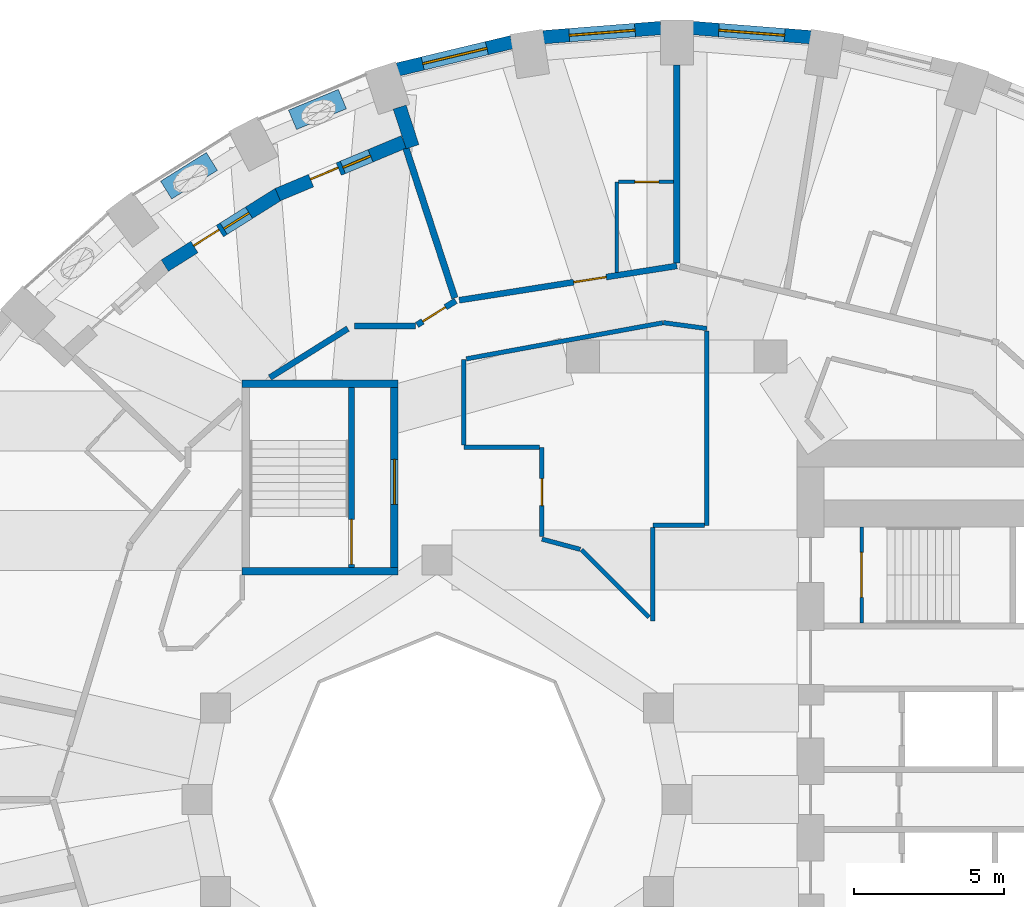
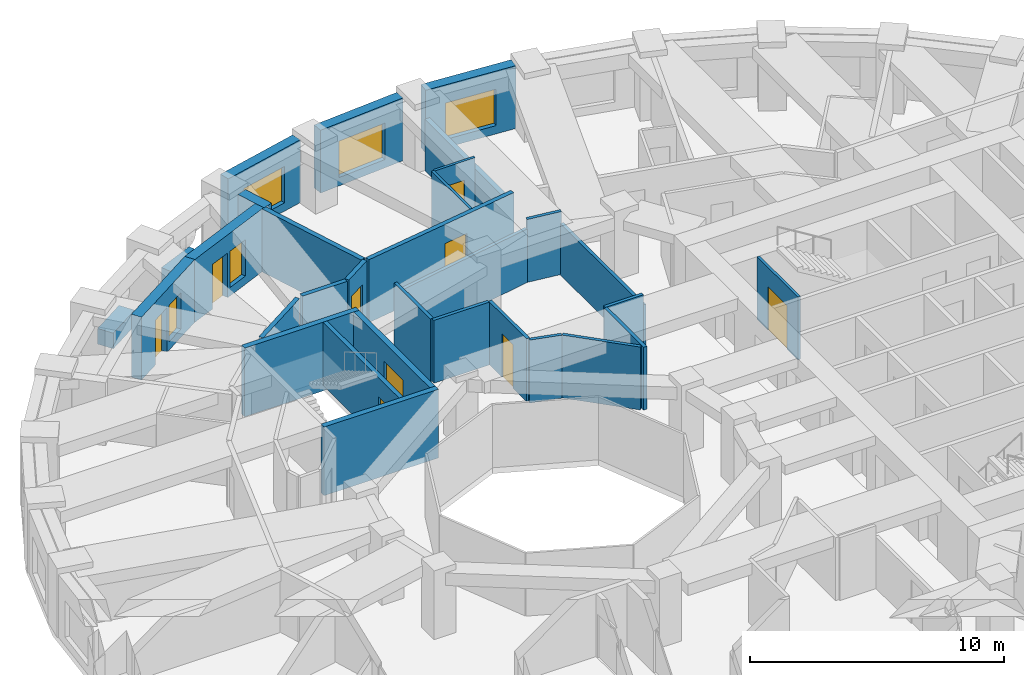
# One storey, part 8 of 13: 31 walls, 9 doors, 5 windows, 14 openings.
"""IFC4 building model written with IfcOpenShell, lengths in metres."""

from ifc_helpers import new_model, si_unit, direction, frame, frame_2d, origin, place, context, subcontext, project, spatial, rectangle, extrude, material, layer, layer_set, constituent, constituent_set, type_object, element, fill, save


model = new_model("IFC4")

# Units and contexts
model_context = context("Model", 3, precision=1e-05, world=origin(), true_north=direction((0.0, 1.0)))
body_context = subcontext(model_context, "Body", "Model", "MODEL_VIEW")
ifc_project = project(units=[si_unit("LENGTHUNIT", "METRE"), si_unit("AREAUNIT", "SQUARE_METRE"), si_unit("VOLUMEUNIT", "CUBIC_METRE"), si_unit("PLANEANGLEUNIT", "RADIAN"), si_unit("MASSUNIT", "GRAM", prefix="KILO")], contexts=[model_context])

# Site, building, storey
site_placement = place(None, origin())
site = spatial("IfcSite", under=ifc_project, at=site_placement, CompositionType="ELEMENT")
building_placement = place(site_placement, origin())
building = spatial("IfcBuilding", under=site, at=building_placement, Name="Taillehof Tower", CompositionType="ELEMENT")
storey_placement = place(building_placement, frame((0.0, 0.0, 41.5)))
storey = spatial("IfcBuildingStorey", under=building, at=storey_placement, Name="L10", CompositionType="ELEMENT", Elevation=41.5)

# Wall, opening, window
ifc_material_1 = material(Name="Brick masonry", Category="masonry")
ifc_layer_1 = layer(ifc_material_1, 0.449951171875)
ifc_layer_set_1 = layer_set([ifc_layer_1], Name="Brick infill wall 450")
wall_type_1 = type_object("IfcWallType", Name="Brick infill wall 450", PredefinedType="SOLIDWALL", material=ifc_layer_set_1)
wall_1_placement = place(storey_placement, frame((4.457275390625, 25.42578125, 0.0), z_axis=(0.0, 0.0, 1.0), x_axis=(-0.996955972145, 0.077966592873, 0.0)))
wall_1 = element("IfcWall", 1, at=wall_1_placement, inside=storey, type_object=wall_type_1, Name="Brick wall L10 bay 9", PredefinedType="SOLIDWALL", context=body_context, shape_type="SweptSolid", body=[
    extrude(rectangle(XDim=3.939208984375, YDim=0.449951171875, at=frame_2d((1.9697265625, 0.0))), origin(), (0.0, 0.0, 1.0), 3.02001953125),
])
opening_1_placement = place(wall_1_placement, frame((0.86962890625, 0.0, 0.39990234375)))
opening_1 = element("IfcOpeningElement", 2, at=opening_1_placement, cuts=wall_1, Name="Opening W1", PredefinedType="OPENING", context=body_context, shape_type="SweptSolid", body=[
    extrude(rectangle(XDim=2.199951171875, YDim=1.75, at=frame_2d((1.10009765625, 0.875))), frame((0.0, 0.23486328125, 0.0), z_axis=(0.0, -1.0, 0.0), x_axis=(1.0, 0.0, 0.0)), (0.0, 0.0, 1.0), 0.469970703125),
])
ifc_material_2 = material(Name="Aluminium window frame with clear double glazing", Category="aluminium")
window_type_1 = type_object("IfcWindowType", Name="Deep-set window 2200x1750", PartitioningType="SINGLE_PANEL", PredefinedType="WINDOW", material=ifc_material_2)
window_1_placement = place(opening_1_placement, origin())
window_1 = element("IfcWindow", 3, at=window_1_placement, inside=storey, type_object=window_type_1, Name="W1", OverallHeight=1.75, OverallWidth=2.199951171875, PartitioningType="SINGLE_PANEL", PredefinedType="WINDOW", context=body_context, shape_type="SweptSolid", body=[
    extrude(rectangle(XDim=2.199951171875, YDim=1.75, at=frame_2d((1.10009765625, 0.875))), frame((0.0, 0.034912109375, 0.0), z_axis=(0.0, -1.0, 0.0), x_axis=(1.0, 0.0, 0.0)), (0.0, 0.0, 1.0), 0.06005859375),
])
fill(opening_1, window_1)

wall_2_placement = place(storey_placement, frame((-0.530029296875, 25.73291015625, 0.0), z_axis=(0.0, 0.0, 1.0), x_axis=(-0.996955972145, -0.077966592873, 0.0)))
wall_2 = element("IfcWall", 4, at=wall_2_placement, inside=storey, type_object=wall_type_1, Name="Brick wall L10 bay 10", PredefinedType="SOLIDWALL", context=body_context, shape_type="SweptSolid", body=[
    extrude(rectangle(XDim=3.939208984375, YDim=0.449951171875, at=frame_2d((1.9697265625, 0.0))), origin(), (0.0, 0.0, 1.0), 3.02001953125),
])
opening_2_placement = place(wall_2_placement, frame((0.86962890625, 0.0, 0.39990234375)))
opening_2 = element("IfcOpeningElement", 5, at=opening_2_placement, cuts=wall_2, Name="Opening W1", PredefinedType="OPENING", context=body_context, shape_type="SweptSolid", body=[
    extrude(rectangle(XDim=2.199951171875, YDim=1.75, at=frame_2d((1.10009765625, 0.875))), frame((0.0, 0.23486328125, 0.0), z_axis=(0.0, -1.0, 0.0), x_axis=(1.0, 0.0, 0.0)), (0.0, 0.0, 1.0), 0.469970703125),
])
window_2_placement = place(opening_2_placement, origin())
window_2 = element("IfcWindow", 6, at=window_2_placement, inside=storey, type_object=window_type_1, Name="W1", OverallHeight=1.75, OverallWidth=2.199951171875, PartitioningType="SINGLE_PANEL", PredefinedType="WINDOW", context=body_context, shape_type="SweptSolid", body=[
    extrude(rectangle(XDim=2.199951171875, YDim=1.75, at=frame_2d((1.10009765625, 0.875))), frame((0.0, 0.034912109375, 0.0), z_axis=(0.0, -1.0, 0.0), x_axis=(1.0, 0.0, 0.0)), (0.0, 0.0, 1.0), 0.06005859375),
])
fill(opening_2, window_2)

wall_3_placement = place(storey_placement, frame((-5.50439453125, 25.260498046875, 0.0), z_axis=(0.0, 0.0, 1.0), x_axis=(-0.972496561493, -0.232917233979, 0.0)))
wall_3 = element("IfcWall", 7, at=wall_3_placement, inside=storey, type_object=wall_type_1, Name="Brick wall L10 bay 11", PredefinedType="SOLIDWALL", context=body_context, shape_type="SweptSolid", body=[
    extrude(rectangle(XDim=3.910888671875, YDim=0.449951171875, at=frame_2d((1.95556640625, 0.0))), origin(), (0.0, 0.0, 1.0), 3.02001953125),
])
opening_3_placement = place(wall_3_placement, frame((0.855224609375, 0.0, 0.39990234375)))
opening_3 = element("IfcOpeningElement", 8, at=opening_3_placement, cuts=wall_3, Name="Opening W1", PredefinedType="OPENING", context=body_context, shape_type="SweptSolid", body=[
    extrude(rectangle(XDim=2.199951171875, YDim=1.75, at=frame_2d((1.10009765625, 0.875))), frame((0.0, 0.23486328125, 0.0), z_axis=(0.0, -1.0, 0.0), x_axis=(1.0, 0.0, 0.0)), (0.0, 0.0, 1.0), 0.469970703125),
])
window_3_placement = place(opening_3_placement, origin())
window_3 = element("IfcWindow", 9, at=window_3_placement, inside=storey, type_object=window_type_1, Name="W1", OverallHeight=1.75, OverallWidth=2.199951171875, PartitioningType="SINGLE_PANEL", PredefinedType="WINDOW", context=body_context, shape_type="SweptSolid", body=[
    extrude(rectangle(XDim=2.199951171875, YDim=1.75, at=frame_2d((1.10009765625, 0.875))), frame((0.0, 0.034912109375, 0.0), z_axis=(0.0, -1.0, 0.0), x_axis=(1.0, 0.0, 0.0)), (0.0, 0.0, 1.0), 0.06005859375),
])
fill(opening_3, window_3)

# Wall
wall_4_placement = place(storey_placement, frame((-9.24560546875, 23.09521484375, 0.0), z_axis=(0.0, 0.0, 1.0), x_axis=(0.310110311429, -0.950700581017, 0.0)))
element("IfcWall", 10, at=wall_4_placement, inside=storey, type_object=wall_type_1, Name="Brick reveal L10 pocket 3", PredefinedType="SOLIDWALL", context=body_context, shape_type="SweptSolid", body=[
    extrude(rectangle(XDim=1.390380859375, YDim=0.449951171875, at=frame_2d((0.6953125, 0.0))), origin(), (0.0, 0.0, 1.0), 3.02001953125),
])

# Wall, openings, door, window
wall_5_placement = place(storey_placement, frame((-9.10400390625, 21.935791015625, 0.0), z_axis=(0.0, 0.0, 1.0), x_axis=(-0.922645368502, -0.385649483317, 0.0)))
wall_5 = element("IfcWall", 11, at=wall_5_placement, inside=storey, type_object=wall_type_1, Name="Brick wall L10 pocket bay 12", PredefinedType="SOLIDWALL", context=body_context, shape_type="SweptSolid", body=[
    extrude(rectangle(XDim=4.55859375, YDim=0.449951171875, at=frame_2d((2.279296875, 0.0))), origin(), (0.0, 0.0, 1.0), 3.02001953125),
])
opening_4_placement = place(wall_5_placement, frame((1.204345703125, 0.0, 0.39990234375)))
opening_4 = element("IfcOpeningElement", 12, at=opening_4_placement, cuts=wall_5, Name="Opening W5", PredefinedType="OPENING", context=body_context, shape_type="SweptSolid", body=[
    extrude(rectangle(XDim=1.0, YDim=1.75, at=frame_2d((0.5, 0.875))), frame((0.0, 0.23486328125, 0.0), z_axis=(0.0, -1.0, 0.0), x_axis=(1.0, 0.0, 0.0)), (0.0, 0.0, 1.0), 0.469970703125),
])
opening_5_placement = place(wall_5_placement, frame((2.354248046875, 0.0, 0.0)))
opening_5 = element("IfcOpeningElement", 13, at=opening_5_placement, cuts=wall_5, Name="Opening D1094", PredefinedType="OPENING", context=body_context, shape_type="SweptSolid", body=[
    extrude(rectangle(XDim=1.0, YDim=2.14990234375, at=frame_2d((0.5, 1.074951171875))), frame((0.0, 0.23486328125, 0.0), z_axis=(0.0, -1.0, 0.0), x_axis=(1.0, 0.0, 0.0)), (0.0, 0.0, 1.0), 0.469970703125),
])
ifc_material_3 = material(Name="Aluminium door frame with clear double glazing", Category="aluminium")
door_type_1 = type_object("IfcDoorType", Name="Balcony door 1000x2150", OperationType="SINGLE_SWING_RIGHT", PredefinedType="DOOR", material=ifc_material_3)
door_1_placement = place(opening_5_placement, frame((1.0, 0.0, 0.0), z_axis=(0.0, 0.0, 1.0), x_axis=(-1.0, 0.0, 0.0)))
door_1 = element("IfcDoor", 14, at=door_1_placement, inside=storey, type_object=door_type_1, Name="Balcony door L10 bay 12", OperationType="SINGLE_SWING_RIGHT", OverallHeight=2.14990234375, OverallWidth=1.0, PredefinedType="DOOR", context=body_context, shape_type="SweptSolid", body=[
    extrude(rectangle(XDim=1.0, YDim=2.14990234375, at=frame_2d((0.5, 1.074951171875))), frame((0.0, 0.0751953125, 0.0), z_axis=(0.0, -1.0, 0.0), x_axis=(1.0, 0.0, 0.0)), (0.0, 0.0, 1.0), 0.050048828125),
])
fill(opening_5, door_1)
ifc_material_4 = material(Name="Aluminium window frame with clear double glazing", Category="aluminium")
window_type_2 = type_object("IfcWindowType", Name="Fixed window 1000x1750", PartitioningType="SINGLE_PANEL", PredefinedType="WINDOW", material=ifc_material_4)
window_4_placement = place(opening_4_placement, origin())
window_4 = element("IfcWindow", 15, at=window_4_placement, inside=storey, type_object=window_type_2, Name="W5", OverallHeight=1.75, OverallWidth=1.0, PartitioningType="SINGLE_PANEL", PredefinedType="WINDOW", context=body_context, shape_type="SweptSolid", body=[
    extrude(rectangle(XDim=1.0, YDim=1.75, at=frame_2d((0.5, 0.875))), frame((0.0, 0.034912109375, 0.0), z_axis=(0.0, -1.0, 0.0), x_axis=(1.0, 0.0, 0.0)), (0.0, 0.0, 1.0), 0.06005859375),
])
fill(opening_4, window_4)

wall_6_placement = place(storey_placement, frame((-13.277099609375, 20.194580078125, 0.0), z_axis=(0.0, 0.0, 1.0), x_axis=(-0.846976005863, -0.531631117874, 0.0)))
wall_6 = element("IfcWall", 16, at=wall_6_placement, inside=storey, type_object=wall_type_1, Name="Brick wall L10 pocket bay 13", PredefinedType="SOLIDWALL", context=body_context, shape_type="SweptSolid", body=[
    extrude(rectangle(XDim=4.488037109375, YDim=0.449951171875, at=frame_2d((2.244140625, 0.0))), origin(), (0.0, 0.0, 1.0), 3.02001953125),
])
opening_6_placement = place(wall_6_placement, frame((1.1689453125, 0.0, 0.39990234375)))
opening_6 = element("IfcOpeningElement", 17, at=opening_6_placement, cuts=wall_6, Name="Opening W5", PredefinedType="OPENING", context=body_context, shape_type="SweptSolid", body=[
    extrude(rectangle(XDim=1.0, YDim=1.75, at=frame_2d((0.5, 0.875))), frame((0.0, 0.23486328125, 0.0), z_axis=(0.0, -1.0, 0.0), x_axis=(1.0, 0.0, 0.0)), (0.0, 0.0, 1.0), 0.469970703125),
])
opening_7_placement = place(wall_6_placement, frame((2.319091796875, 0.0, 0.0)))
opening_7 = element("IfcOpeningElement", 18, at=opening_7_placement, cuts=wall_6, Name="Opening D1095", PredefinedType="OPENING", context=body_context, shape_type="SweptSolid", body=[
    extrude(rectangle(XDim=1.0, YDim=2.14990234375, at=frame_2d((0.5, 1.074951171875))), frame((0.0, 0.23486328125, 0.0), z_axis=(0.0, -1.0, 0.0), x_axis=(1.0, 0.0, 0.0)), (0.0, 0.0, 1.0), 0.469970703125),
])
door_2_placement = place(opening_7_placement, frame((1.0, 0.0, 0.0), z_axis=(0.0, 0.0, 1.0), x_axis=(-1.0, 0.0, 0.0)))
door_2 = element("IfcDoor", 19, at=door_2_placement, inside=storey, type_object=door_type_1, Name="Balcony door L10 bay 13", OperationType="SINGLE_SWING_LEFT", OverallHeight=2.14990234375, OverallWidth=1.0, PredefinedType="DOOR", context=body_context, shape_type="SweptSolid", body=[
    extrude(rectangle(XDim=1.0, YDim=2.14990234375, at=frame_2d((0.5, 1.074951171875))), frame((0.0, 0.0751953125, 0.0), z_axis=(0.0, -1.0, 0.0), x_axis=(1.0, 0.0, 0.0)), (0.0, 0.0, 1.0), 0.050048828125),
])
fill(opening_7, door_2)
window_5_placement = place(opening_6_placement, origin())
window_5 = element("IfcWindow", 20, at=window_5_placement, inside=storey, type_object=window_type_2, Name="W5", OverallHeight=1.75, OverallWidth=1.0, PartitioningType="SINGLE_PANEL", PredefinedType="WINDOW", context=body_context, shape_type="SweptSolid", body=[
    extrude(rectangle(XDim=1.0, YDim=1.75, at=frame_2d((0.5, 0.875))), frame((0.0, 0.034912109375, 0.0), z_axis=(0.0, -1.0, 0.0), x_axis=(1.0, 0.0, 0.0)), (0.0, 0.0, 1.0), 0.06005859375),
])
fill(opening_6, window_5)

# Walls
ifc_material_5 = material(Name="Gypsum board on steel studs, two layers each side", Category="steel")
ifc_layer_2 = layer(ifc_material_5, 0.199951171875)
ifc_layer_set_2 = layer_set([ifc_layer_2], Name="Compartment wall corridor 200")
wall_type_2 = type_object("IfcWallType", Name="Compartment wall corridor 200", PredefinedType="PARTITIONING", material=ifc_layer_set_2)
wall_7_placement = place(storey_placement, frame((-13.57080078125, 14.077392578125, 0.0), z_axis=(0.0, 0.0, 1.0), x_axis=(0.846954991261, 0.53166459613, 0.0)))
element("IfcWall", 21, at=wall_7_placement, inside=storey, type_object=wall_type_2, Name="Compartment wall", PredefinedType="PARTITIONING", context=body_context, shape_type="SweptSolid", body=[
    extrude(rectangle(XDim=3.06787109375, YDim=0.199951171875, at=frame_2d((1.533935546875, 0.0))), origin(), (0.0, 0.0, 1.0), 3.02001953125),
])
wall_8_placement = place(storey_placement, frame((-10.75341796875, 15.800048828125, 0.0), z_axis=(0.0, 0.0, 1.0), x_axis=(1.0, 0.0, 0.0)))
element("IfcWall", 22, at=wall_8_placement, inside=storey, type_object=wall_type_2, Name="Compartment wall", PredefinedType="PARTITIONING", context=body_context, shape_type="SweptSolid", body=[
    extrude(rectangle(XDim=2.03857421875, YDim=0.199951171875, at=frame_2d((1.019287109375, 0.0))), origin(), (0.0, 0.0, 1.0), 3.02001953125),
])

# Wall, opening, door
wall_9_placement = place(storey_placement, frame((-8.664306640625, 15.83154296875, 0.0), z_axis=(0.0, 0.0, 1.0), x_axis=(0.848304931689, 0.529508019648, 0.0)))
wall_9 = element("IfcWall", 23, at=wall_9_placement, inside=storey, type_object=wall_type_2, Name="Compartment wall", PredefinedType="PARTITIONING", context=body_context, shape_type="SweptSolid", body=[
    extrude(rectangle(XDim=1.520263671875, YDim=0.199951171875, at=frame_2d((0.76025390625, 0.0))), origin(), (0.0, 0.0, 1.0), 3.02001953125),
])
opening_8_placement = place(wall_9_placement, frame((0.219970703125, 0.0, 0.0)))
opening_8 = element("IfcOpeningElement", 24, at=opening_8_placement, cuts=wall_9, Name="Opening D1047", PredefinedType="OPENING", context=body_context, shape_type="SweptSolid", body=[
    extrude(rectangle(XDim=0.89990234375, YDim=2.10009765625, at=frame_2d((0.449951171875, 1.050048828125))), frame((0.0, 0.10986328125, 0.0), z_axis=(0.0, -1.0, 0.0), x_axis=(1.0, 0.0, 0.0)), (0.0, 0.0, 1.0), 0.219970703125),
])
ifc_material_6 = material(Name="Timber door leaf in steel frame", Category="steel")
door_type_2 = type_object("IfcDoorType", Name="Service room door EI 30 900 x 2100", OperationType="SINGLE_SWING_LEFT", PredefinedType="DOOR", material=ifc_material_6)
door_3_placement = place(opening_8_placement, origin())
door_3 = element("IfcDoor", 25, at=door_3_placement, inside=storey, type_object=door_type_2, Name="D1047", OperationType="SINGLE_SWING_LEFT", OverallHeight=2.10009765625, OverallWidth=0.89990234375, PredefinedType="DOOR", context=body_context, shape_type="SweptSolid", body=[
    extrude(rectangle(XDim=0.89990234375, YDim=2.10009765625, at=frame_2d((0.449951171875, 1.050048828125))), frame((0.0, 0.02490234375, 0.0), z_axis=(0.0, -1.0, 0.0), x_axis=(1.0, 0.0, 0.0)), (0.0, 0.0, 1.0), 0.050048828125),
])
fill(opening_8, door_3)

wall_10_placement = place(storey_placement, frame((-7.256103515625, 16.655517578125, 0.0), z_axis=(0.0, 0.0, 1.0), x_axis=(0.987787475409, 0.15580726371, 0.0)))
wall_10 = element("IfcWall", 26, at=wall_10_placement, inside=storey, type_object=wall_type_2, Name="Compartment wall", PredefinedType="PARTITIONING", context=body_context, shape_type="SweptSolid", body=[
    extrude(rectangle(XDim=7.345703125, YDim=0.199951171875, at=frame_2d((3.6728515625, 0.0))), origin(), (0.0, 0.0, 1.0), 3.02001953125),
])
opening_9_placement = place(wall_10_placement, frame((3.859619140625, 0.0, 0.0)))
opening_9 = element("IfcOpeningElement", 27, at=opening_9_placement, cuts=wall_10, Name="Opening D1045", PredefinedType="OPENING", context=body_context, shape_type="SweptSolid", body=[
    extrude(rectangle(XDim=1.10009765625, YDim=2.10009765625, at=frame_2d((0.550048828125, 1.050048828125))), frame((0.0, 0.10986328125, 0.0), z_axis=(0.0, -1.0, 0.0), x_axis=(1.0, 0.0, 0.0)), (0.0, 0.0, 1.0), 0.219970703125),
])
ifc_material_7 = material(Name="Timber door leaf in steel frame", Category="steel")
door_type_3 = type_object("IfcDoorType", Name="Suite entrance door EI 30 1100 x 2100", OperationType="SINGLE_SWING_LEFT", PredefinedType="DOOR", material=ifc_material_7)
door_4_placement = place(opening_9_placement, origin())
door_4 = element("IfcDoor", 28, at=door_4_placement, inside=storey, type_object=door_type_3, Name="D1045", OperationType="SINGLE_SWING_RIGHT", OverallHeight=2.10009765625, OverallWidth=1.10009765625, PredefinedType="DOOR", context=body_context, shape_type="SweptSolid", body=[
    extrude(rectangle(XDim=1.10009765625, YDim=2.10009765625, at=frame_2d((0.550048828125, 1.050048828125))), frame((0.0, 0.02490234375, 0.0), z_axis=(0.0, -1.0, 0.0), x_axis=(1.0, 0.0, 0.0)), (0.0, 0.0, 1.0), 0.050048828125),
])
fill(opening_9, door_4)

# Walls
ifc_material_8 = material(Name="Gypsum board on double steel studs with mineral wool", Category="steel")
ifc_layer_3 = layer(ifc_material_8, 0.219970703125)
ifc_layer_set_3 = layer_set([ifc_layer_3], Name="Compartment wall guest room 220")
wall_type_3 = type_object("IfcWallType", Name="Compartment wall guest room 220", PredefinedType="PARTITIONING", material=ifc_layer_set_3)
wall_11_placement = place(storey_placement, frame((0.0, 24.5, 0.0), z_axis=(0.0, 0.0, 1.0), x_axis=(0.0, -1.0, 0.0)))
element("IfcWall", 29, at=wall_11_placement, inside=storey, type_object=wall_type_3, Name="Compartment wall", PredefinedType="PARTITIONING", context=body_context, shape_type="SweptSolid", body=[
    extrude(rectangle(XDim=6.599853515625, YDim=0.219970703125, at=frame_2d((3.2998046875, 0.0))), origin(), (0.0, 0.0, 1.0), 2.469970703125),
])
wall_12_placement = place(storey_placement, frame((-9.033935546875, 21.72119140625, 0.0), z_axis=(0.0, 0.0, 1.0), x_axis=(0.310304845104, -0.950637103791, 0.0)))
element("IfcWall", 30, at=wall_12_placement, inside=storey, type_object=wall_type_3, Name="Compartment wall", PredefinedType="PARTITIONING", context=body_context, shape_type="SweptSolid", body=[
    extrude(rectangle(XDim=5.24853515625, YDim=0.219970703125, at=frame_2d((2.624267578125, 0.0))), origin(), (0.0, 0.0, 1.0), 3.02001953125),
])
ifc_material_9 = material(Name="Gypsum board on steel studs, two layers each side", Category="steel")
ifc_layer_4 = layer(ifc_material_9, 0.14990234375)
ifc_layer_set_4 = layer_set([ifc_layer_4], Name="Compartment wall service room 150")
wall_type_4 = type_object("IfcWallType", Name="Compartment wall service room 150", PredefinedType="PARTITIONING", material=ifc_layer_set_4)
wall_13_placement = place(storey_placement, frame((-0.45068359375, 15.90673828125, 0.0), z_axis=(0.0, 0.0, 1.0), x_axis=(0.99094751199, -0.134249873301, 0.0)))
element("IfcWall", 31, at=wall_13_placement, inside=storey, type_object=wall_type_4, Name="Compartment wall", PredefinedType="PARTITIONING", context=body_context, shape_type="SweptSolid", body=[
    extrude(rectangle(XDim=1.4638671875, YDim=0.14990234375, at=frame_2d((0.73193359375, 0.0))), origin(), (0.0, 0.0, 1.0), 3.02001953125),
])
wall_14_placement = place(storey_placement, frame((1.0, 15.630126953125, 0.0), z_axis=(0.0, 0.0, 1.0), x_axis=(0.0, -1.0, 0.0)))
element("IfcWall", 32, at=wall_14_placement, inside=storey, type_object=wall_type_4, Name="Compartment wall", PredefinedType="PARTITIONING", context=body_context, shape_type="SweptSolid", body=[
    extrude(rectangle(XDim=6.480224609375, YDim=0.14990234375, at=frame_2d((3.240234375, 0.0))), origin(), (0.0, 0.0, 1.0), 2.469970703125),
])
wall_15_placement = place(storey_placement, frame((0.919921875, 9.14990234375, 0.0), z_axis=(0.0, 0.0, 1.0), x_axis=(-1.0, 0.0, 0.0)))
element("IfcWall", 33, at=wall_15_placement, inside=storey, type_object=wall_type_4, Name="Compartment wall", PredefinedType="PARTITIONING", context=body_context, shape_type="SweptSolid", body=[
    extrude(rectangle(XDim=1.719970703125, YDim=0.14990234375, at=frame_2d((0.85986328125, 0.0))), origin(), (0.0, 0.0, 1.0), 3.02001953125),
])
wall_16_placement = place(storey_placement, frame((-0.800048828125, 9.06982421875, 0.0), z_axis=(0.0, 0.0, 1.0), x_axis=(0.0, -1.0, 0.0)))
element("IfcWall", 34, at=wall_16_placement, inside=storey, type_object=wall_type_4, Name="Compartment wall", PredefinedType="PARTITIONING", context=body_context, shape_type="SweptSolid", body=[
    extrude(rectangle(XDim=3.11767578125, YDim=0.14990234375, at=frame_2d((1.558837890625, 0.0))), origin(), (0.0, 0.0, 1.0), 3.02001953125),
])
wall_17_placement = place(storey_placement, frame((-0.927490234375, 6.07958984375, 0.0), z_axis=(0.0, 0.0, 1.0), x_axis=(-0.707106781187, 0.707106781187, 0.0)))
element("IfcWall", 35, at=wall_17_placement, inside=storey, type_object=wall_type_4, Name="Compartment wall", PredefinedType="PARTITIONING", context=body_context, shape_type="SweptSolid", body=[
    extrude(rectangle(XDim=3.194091796875, YDim=0.14990234375, at=frame_2d((1.59716796875, 0.0))), origin(), (0.0, 0.0, 1.0), 3.02001953125),
])
wall_18_placement = place(storey_placement, frame((-3.224609375, 8.348388671875, 0.0), z_axis=(0.0, 0.0, 1.0), x_axis=(-0.965915035697, 0.258859312783, 0.0)))
element("IfcWall", 36, at=wall_18_placement, inside=storey, type_object=wall_type_4, Name="Compartment wall", PredefinedType="PARTITIONING", context=body_context, shape_type="SweptSolid", body=[
    extrude(rectangle(XDim=1.3203125, YDim=0.14990234375, at=frame_2d((0.66015625, 0.0))), origin(), (0.0, 0.0, 1.0), 3.02001953125),
])

# Wall, opening, door
wall_19_placement = place(storey_placement, frame((-4.5, 8.770263671875, 0.0), z_axis=(0.0, 0.0, 1.0), x_axis=(0.0, 1.0, 0.0)))
wall_19 = element("IfcWall", 37, at=wall_19_placement, inside=storey, type_object=wall_type_4, Name="Compartment wall", PredefinedType="PARTITIONING", context=body_context, shape_type="SweptSolid", body=[
    extrude(rectangle(XDim=2.979736328125, YDim=0.14990234375, at=frame_2d((1.48974609375, 0.0))), origin(), (0.0, 0.0, 1.0), 3.02001953125),
])
opening_10_placement = place(wall_19_placement, frame((1.039794921875, 0.0, 0.0)))
opening_10 = element("IfcOpeningElement", 38, at=opening_10_placement, cuts=wall_19, Name="Opening D1070", PredefinedType="OPENING", context=body_context, shape_type="SweptSolid", body=[
    extrude(rectangle(XDim=0.89990234375, YDim=2.10009765625, at=frame_2d((0.449951171875, 1.050048828125))), frame((0.0, 0.0849609375, 0.0), z_axis=(0.0, -1.0, 0.0), x_axis=(1.0, 0.0, 0.0)), (0.0, 0.0, 1.0), 0.169921875),
])
door_5_placement = place(opening_10_placement, origin())
door_5 = element("IfcDoor", 39, at=door_5_placement, inside=storey, type_object=door_type_2, Name="D1070", OperationType="SINGLE_SWING_RIGHT", OverallHeight=2.10009765625, OverallWidth=0.89990234375, PredefinedType="DOOR", context=body_context, shape_type="SweptSolid", body=[
    extrude(rectangle(XDim=0.89990234375, YDim=2.10009765625, at=frame_2d((0.449951171875, 1.050048828125))), frame((0.0, 0.02490234375, 0.0), z_axis=(0.0, -1.0, 0.0), x_axis=(1.0, 0.0, 0.0)), (0.0, 0.0, 1.0), 0.050048828125),
])
fill(opening_10, door_5)

# Walls
wall_20_placement = place(storey_placement, frame((-4.580078125, 11.75, 0.0), z_axis=(0.0, 0.0, 1.0), x_axis=(-1.0, 0.0, 0.0)))
element("IfcWall", 40, at=wall_20_placement, inside=storey, type_object=wall_type_4, Name="Compartment wall", PredefinedType="PARTITIONING", context=body_context, shape_type="SweptSolid", body=[
    extrude(rectangle(XDim=2.52001953125, YDim=0.14990234375, at=frame_2d((1.260009765625, 0.0))), origin(), (0.0, 0.0, 1.0), 3.02001953125),
])
wall_21_placement = place(storey_placement, frame((-7.10009765625, 11.830078125, 0.0), z_axis=(0.0, 0.0, 1.0), x_axis=(0.0, 1.0, 0.0)))
element("IfcWall", 41, at=wall_21_placement, inside=storey, type_object=wall_type_4, Name="Compartment wall", PredefinedType="PARTITIONING", context=body_context, shape_type="SweptSolid", body=[
    extrude(rectangle(XDim=2.85595703125, YDim=0.14990234375, at=frame_2d((1.427978515625, 0.0))), origin(), (0.0, 0.0, 1.0), 3.02001953125),
])
wall_22_placement = place(storey_placement, frame((-7.02099609375, 14.70068359375, 0.0), z_axis=(0.0, 0.0, 1.0), x_axis=(0.983567630435, 0.180540068573, 0.0)))
element("IfcWall", 42, at=wall_22_placement, inside=storey, type_object=wall_type_4, Name="Compartment wall", PredefinedType="PARTITIONING", context=body_context, shape_type="SweptSolid", body=[
    extrude(rectangle(XDim=6.659912109375, YDim=0.14990234375, at=frame_2d((3.330078125, 0.0))), origin(), (0.0, 0.0, 1.0), 2.570068359375),
])
ifc_material_10 = material(Name="Gypsum board on steel studs, moisture resistant", Category="steel")
ifc_layer_5 = layer(ifc_material_10, 0.1201171875)
ifc_layer_set_5 = layer_set([ifc_layer_5], Name="En-suite wall 120")
wall_type_5 = type_object("IfcWallType", Name="En-suite wall 120", PredefinedType="PARTITIONING", material=ifc_layer_set_5)
wall_23_placement = place(storey_placement, frame((-2.0, 17.585693359375, 0.0), z_axis=(0.0, 0.0, 1.0), x_axis=(0.0, 1.0, 0.0)))
element("IfcWall", 43, at=wall_23_placement, inside=storey, type_object=wall_type_5, Name="En-suite wall", PredefinedType="PARTITIONING", context=body_context, shape_type="SweptSolid", body=[
    extrude(rectangle(XDim=3.014404296875, YDim=0.1201171875, at=frame_2d((1.50732421875, 0.0))), origin(), (0.0, 0.0, 1.0), 3.02001953125),
])

# Wall, opening, door
wall_24_placement = place(storey_placement, frame((-1.93994140625, 20.60009765625, 0.0), z_axis=(0.0, 0.0, 1.0), x_axis=(1.0, 0.0, 0.0)))
wall_24 = element("IfcWall", 44, at=wall_24_placement, inside=storey, type_object=wall_type_5, Name="En-suite wall", PredefinedType="PARTITIONING", context=body_context, shape_type="SweptSolid", body=[
    extrude(rectangle(XDim=1.829833984375, YDim=0.1201171875, at=frame_2d((0.9150390625, 0.0))), origin(), (0.0, 0.0, 1.0), 3.02001953125),
])
opening_11_placement = place(wall_24_placement, frame((0.5400390625, 0.0, 0.0)))
opening_11 = element("IfcOpeningElement", 45, at=opening_11_placement, cuts=wall_24, Name="Opening D1046", PredefinedType="OPENING", context=body_context, shape_type="SweptSolid", body=[
    extrude(rectangle(XDim=0.800048828125, YDim=2.10009765625, at=frame_2d((0.39990234375, 1.050048828125))), frame((0.0, 0.070068359375, 0.0), z_axis=(0.0, -1.0, 0.0), x_axis=(1.0, 0.0, 0.0)), (0.0, 0.0, 1.0), 0.14013671875),
])
ifc_material_11 = material(Name="Timber door leaf in steel frame", Category="steel")
door_type_4 = type_object("IfcDoorType", Name="En-suite door 800 x 2100", OperationType="SINGLE_SWING_LEFT", PredefinedType="DOOR", material=ifc_material_11)
door_6_placement = place(opening_11_placement, origin())
door_6 = element("IfcDoor", 46, at=door_6_placement, inside=storey, type_object=door_type_4, Name="D1046", OperationType="SINGLE_SWING_RIGHT", OverallHeight=2.10009765625, OverallWidth=0.800048828125, PredefinedType="DOOR", context=body_context, shape_type="SweptSolid", body=[
    extrude(rectangle(XDim=0.800048828125, YDim=2.10009765625, at=frame_2d((0.39990234375, 1.050048828125))), frame((0.0, 0.02490234375, 0.0), z_axis=(0.0, -1.0, 0.0), x_axis=(1.0, 0.0, 0.0)), (0.0, 0.0, 1.0), 0.050048828125),
])
fill(opening_11, door_6)

# Walls
ifc_material_12 = material(Name="Concrete C30/37 precast", Category="concrete")
ifc_constituent_1 = constituent(ifc_material_12, Name="Structure", Category="concrete")
ifc_material_13 = material(Name="Insulated lining")
ifc_constituent_2 = constituent(ifc_material_13, Name="Lining")
ifc_constituent_set = constituent_set(constituents=[ifc_constituent_1, ifc_constituent_2], Name="Planter trough 700x750")
wall_type_6 = type_object("IfcWallType", Name="Planter trough 700x750", PredefinedType="USERDEFINED", material=ifc_constituent_set)
wall_25_placement = place(storey_placement, frame((-11.1552734375, 23.3623046875, 0.0), z_axis=(0.0, 0.0, 1.0), x_axis=(-0.923000660042, -0.384798364811, 0.0)))
element("IfcWall", 47, at=wall_25_placement, inside=storey, type_object=wall_type_6, Name="Planter L10 bay 12", ObjectType="PLANTER", PredefinedType="USERDEFINED", context=body_context, shape_type="SweptSolid", body=[
    extrude(rectangle(XDim=1.800048828125, YDim=0.699951171875, at=frame_2d((0.89990234375, 0.0))), origin(), (0.0, 0.0, 1.0), 0.75),
])
wall_26_placement = place(storey_placement, frame((-15.506103515625, 21.282958984375, 0.0), z_axis=(0.0, 0.0, 1.0), x_axis=(-0.847609446823, -0.530620604252, 0.0)))
element("IfcWall", 48, at=wall_26_placement, inside=storey, type_object=wall_type_6, Name="Planter L10 bay 13", ObjectType="PLANTER", PredefinedType="USERDEFINED", context=body_context, shape_type="SweptSolid", body=[
    extrude(rectangle(XDim=1.7998046875, YDim=0.699951171875, at=frame_2d((0.89990234375, 0.0))), origin(), (0.0, 0.0, 1.0), 0.75),
])

# Wall, opening, door
ifc_material_14 = material(Name="Concrete C50/60", Category="concrete")
ifc_layer_6 = layer(ifc_material_14, 0.199951171875)
ifc_layer_set_6 = layer_set([ifc_layer_6], Name="Shaft wall C50/60 200")
wall_type_7 = type_object("IfcWallType", Name="Shaft wall C50/60 200", PredefinedType="SHEAR", material=ifc_layer_set_6)
wall_27_placement = place(storey_placement, frame((-10.85009765625, 7.75, 0.0), z_axis=(0.0, 0.0, 1.0), x_axis=(0.0, 1.0, 0.0)))
wall_27 = element("IfcWall", 49, at=wall_27_placement, inside=storey, type_object=wall_type_7, Name="Shaft wall SW", PredefinedType="SHEAR", context=body_context, shape_type="SweptSolid", body=[
    extrude(rectangle(XDim=6.0, YDim=0.199951171875, at=frame_2d((3.0, 0.0))), origin(), (0.0, 0.0, 1.0), 3.02001953125),
])
opening_12_placement = place(wall_27_placement, frame((0.10009765625, 0.0, 0.0)))
opening_12 = element("IfcOpeningElement", 50, at=opening_12_placement, cuts=wall_27, Name="Opening D1012", PredefinedType="OPENING", context=body_context, shape_type="SweptSolid", body=[
    extrude(rectangle(XDim=1.5, YDim=2.10009765625, at=frame_2d((0.75, 1.050048828125))), frame((0.0, 0.10986328125, 0.0), z_axis=(0.0, -1.0, 0.0), x_axis=(1.0, 0.0, 0.0)), (0.0, 0.0, 1.0), 0.219970703125),
])
ifc_material_15 = material(Name="Steel-faced fire door", Category="steel")
door_type_5 = type_object("IfcDoorType", Name="Stair door 1500x2100", OperationType="DOUBLE_DOOR_SINGLE_SWING", PredefinedType="DOOR", material=ifc_material_15)
door_7_placement = place(opening_12_placement, origin())
door_7 = element("IfcDoor", 51, at=door_7_placement, inside=storey, type_object=door_type_5, Name="Stair lobby door S3", OperationType="DOUBLE_DOOR_SINGLE_SWING", OverallHeight=2.10009765625, OverallWidth=1.5, PredefinedType="DOOR", context=body_context, shape_type="SweptSolid", body=[
    extrude(rectangle(XDim=1.5, YDim=2.10009765625, at=frame_2d((0.75, 1.050048828125))), frame((0.0, 0.02490234375, 0.0), z_axis=(0.0, -1.0, 0.0), x_axis=(1.0, 0.0, 0.0)), (0.0, 0.0, 1.0), 0.050048828125),
])
fill(opening_12, door_7)

ifc_material_16 = material(Name="Concrete C50/60", Category="concrete")
ifc_layer_7 = layer(ifc_material_16, 0.1201171875)
ifc_layer_set_7 = layer_set([ifc_layer_7], Name="Stair lobby wall C50/60 120")
wall_type_8 = type_object("IfcWallType", Name="Stair lobby wall C50/60 120", PredefinedType="SHEAR", material=ifc_layer_set_7)
wall_28_placement = place(storey_placement, frame((6.159912109375, 5.89990234375, 0.0), z_axis=(0.0, 0.0, 1.0), x_axis=(0.0, 1.0, 0.0)))
wall_28 = element("IfcWall", 52, at=wall_28_placement, inside=storey, type_object=wall_type_8, Name="Compartment wall SW", PredefinedType="SHEAR", context=body_context, shape_type="SweptSolid", body=[
    extrude(rectangle(XDim=3.2001953125, YDim=0.1201171875, at=frame_2d((1.60009765625, 0.0))), origin(), (0.0, 0.0, 1.0), 3.02001953125),
])
opening_13_placement = place(wall_28_placement, frame((0.85009765625, 0.0, 0.0)))
opening_13 = element("IfcOpeningElement", 53, at=opening_13_placement, cuts=wall_28, Name="Opening D1010", PredefinedType="OPENING", context=body_context, shape_type="SweptSolid", body=[
    extrude(rectangle(XDim=1.5, YDim=2.10009765625, at=frame_2d((0.75, 1.050048828125))), frame((0.0, 0.070068359375, 0.0), z_axis=(0.0, -1.0, 0.0), x_axis=(1.0, 0.0, 0.0)), (0.0, 0.0, 1.0), 0.14013671875),
])
door_8_placement = place(opening_13_placement, origin())
door_8 = element("IfcDoor", 54, at=door_8_placement, inside=storey, type_object=door_type_5, Name="Stair lobby door S1", OperationType="DOUBLE_DOOR_SINGLE_SWING", OverallHeight=2.10009765625, OverallWidth=1.5, PredefinedType="DOOR", context=body_context, shape_type="SweptSolid", body=[
    extrude(rectangle(XDim=1.5, YDim=2.10009765625, at=frame_2d((0.75, 1.050048828125))), frame((0.0, 0.02490234375, 0.0), z_axis=(0.0, -1.0, 0.0), x_axis=(1.0, 0.0, 0.0)), (0.0, 0.0, 1.0), 0.050048828125),
])
fill(opening_13, door_8)

ifc_material_17 = material(Name="Concrete C50/60", Category="concrete")
ifc_layer_8 = layer(ifc_material_17, 0.25)
ifc_layer_set_8 = layer_set([ifc_layer_8], Name="Stair wall C50/60 250")
wall_type_9 = type_object("IfcWallType", Name="Stair wall C50/60 250", PredefinedType="SHEAR", material=ifc_layer_set_8)
wall_29_placement = place(storey_placement, frame((-9.425048828125, 7.75, -0.280029296875), z_axis=(0.0, 0.0, 1.0), x_axis=(0.0, 1.0, 0.0)))
wall_29 = element("IfcWall", 55, at=wall_29_placement, inside=storey, type_object=wall_type_9, Name="Stair wall SC", PredefinedType="SHEAR", context=body_context, shape_type="SweptSolid", body=[
    extrude(rectangle(XDim=6.0, YDim=0.25, at=frame_2d((3.0, 0.0))), origin(), (0.0, 0.0, 1.0), 3.300048828125),
])
opening_14_placement = place(wall_29_placement, frame((2.10009765625, 0.0, 0.280029296875)))
opening_14 = element("IfcOpeningElement", 56, at=opening_14_placement, cuts=wall_29, Name="Opening D1019", PredefinedType="OPENING", context=body_context, shape_type="SweptSolid", body=[
    extrude(rectangle(XDim=1.5, YDim=2.10009765625, at=frame_2d((0.75, 1.050048828125))), frame((0.0, 0.135009765625, 0.0), z_axis=(0.0, -1.0, 0.0), x_axis=(1.0, 0.0, 0.0)), (0.0, 0.0, 1.0), 0.27001953125),
])
door_9_placement = place(opening_14_placement, origin())
door_9 = element("IfcDoor", 57, at=door_9_placement, inside=storey, type_object=door_type_5, Name="Stair door S3", OperationType="DOUBLE_DOOR_SINGLE_SWING", OverallHeight=2.10009765625, OverallWidth=1.5, PredefinedType="DOOR", context=body_context, shape_type="SweptSolid", body=[
    extrude(rectangle(XDim=1.5, YDim=2.10009765625, at=frame_2d((0.75, 1.050048828125))), frame((0.0, 0.02490234375, 0.0), z_axis=(0.0, -1.0, 0.0), x_axis=(1.0, 0.0, 0.0)), (0.0, 0.0, 1.0), 0.050048828125),
])
fill(opening_14, door_9)

# Walls
for number, where, z_axis, x_axis, name in (
    (58, (-14.5, 13.875, -0.280029296875), (0.0, 0.0, 1.0), (1.0, 0.0, 0.0), "Stair wall SC"),
    (59, (-14.5, 7.625, -0.280029296875), (0.0, 0.0, 1.0), (1.0, 0.0, 0.0), "Stair wall SC"),
):
    element("IfcWall", number, at=place(storey_placement, frame(where, z_axis=z_axis, x_axis=x_axis)), inside=storey, type_object=wall_type_9, Name=name, PredefinedType="SHEAR", context=body_context, shape_type="SweptSolid", body=[
        extrude(rectangle(XDim=5.199951171875, YDim=0.25, at=frame_2d((2.60009765625, 0.0))), origin(), (0.0, 0.0, 1.0), 3.300048828125),
    ])

save(model, "model.ifc")
